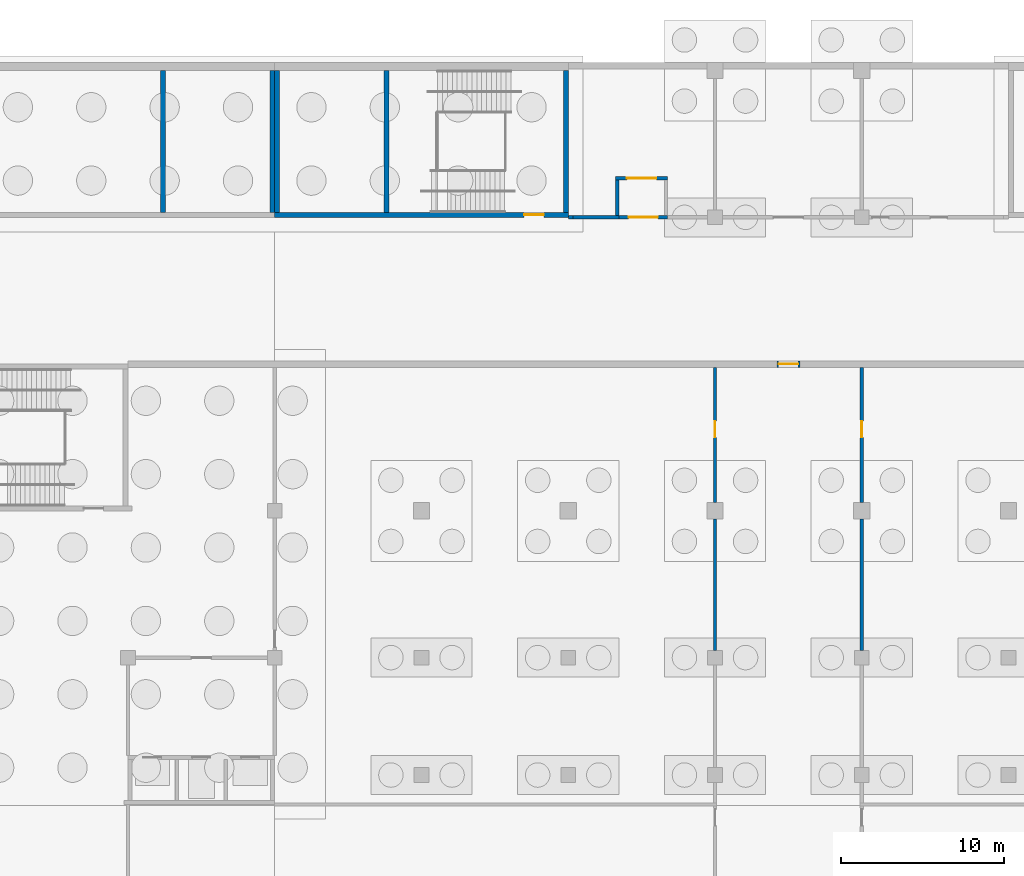
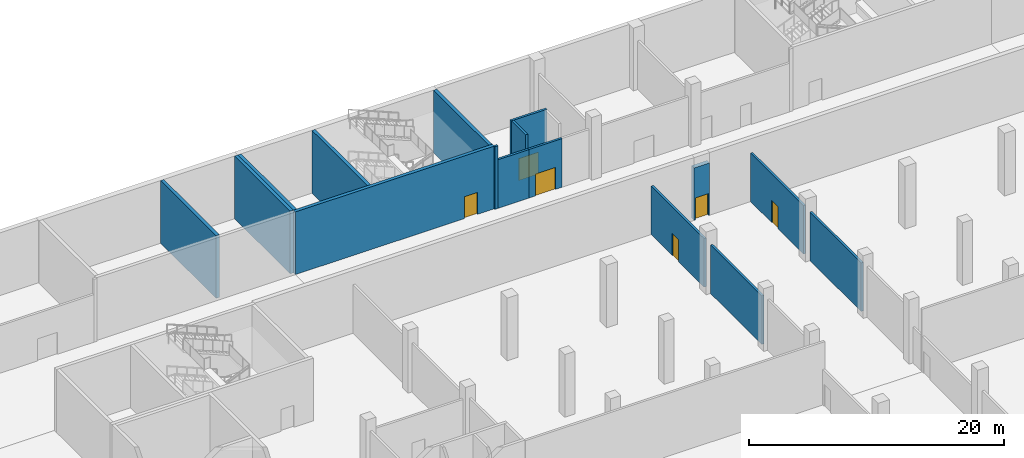
# One storey, part 15 of 42: 16 walls, 6 doors, 6 openings.
"""IFC4 building model written with IfcOpenShell, lengths in metres."""

from ifc_helpers import new_model, si_unit, direction, frame, frame_2d, origin, place, context, subcontext, project, spatial, rectangle, extrude, material, layer, layer_set, type_object, element, fill, save


model = new_model("IFC4")

# Units and contexts
model_context = context("Model", 3, precision=1e-05, world=origin(), true_north=direction((0.0, 1.0)))
body_context = subcontext(model_context, "Body", "Model", "MODEL_VIEW")
ifc_project = project(units=[si_unit("LENGTHUNIT", "METRE"), si_unit("AREAUNIT", "SQUARE_METRE"), si_unit("VOLUMEUNIT", "CUBIC_METRE"), si_unit("PLANEANGLEUNIT", "RADIAN"), si_unit("MASSUNIT", "GRAM", prefix="KILO")], contexts=[model_context])

# Site, building, storey
site_placement = place(None, origin())
site = spatial("IfcSite", under=ifc_project, at=site_placement, CompositionType="ELEMENT")
building_placement = place(site_placement, origin())
building = spatial("IfcBuilding", under=site, at=building_placement, Name="Silverbay Arena", CompositionType="ELEMENT")
storey_placement = place(building_placement, frame((0.0, 0.0, -6.0)))
storey = spatial("IfcBuildingStorey", under=building, at=storey_placement, Name="B1", CompositionType="ELEMENT", Elevation=-6.0)

# Walls
ifc_material_1 = material(Name="Concrete Grade C45", Category="concrete")
ifc_layer_1 = layer(ifc_material_1, 0.300048828125)
ifc_layer_set_1 = layer_set([ifc_layer_1], Name="Concrete Grade C45")
wall_type_1 = type_object("IfcWallType", Name="Core wall RC 300 EI 240", PredefinedType="SHEAR", material=ifc_layer_set_1)
for number, where, z_axis, x_axis, name in (
    (1, (98.85009765625, 135.300048828125, 0.0), (0.0, 0.0, 1.0), (0.0, 1.0, 0.0), "Core wall ST-N1 B1 end 2"),
    (2, (92.14990234375, 135.300048828125, 0.0), (0.0, 0.0, 1.0), (0.0, 1.0, 0.0), "Core wall ST-N1 B1 stair enclosure"),
):
    element("IfcWall", number, at=place(storey_placement, frame(where, z_axis=z_axis, x_axis=x_axis)), inside=storey, type_object=wall_type_1, Name=name, PredefinedType="SHEAR", context=body_context, shape_type="SweptSolid", body=[
        extrude(rectangle(XDim=8.699951171875, YDim=0.300048828125, at=frame_2d((4.35009765625, 0.0))), origin(), (0.0, 0.0, 1.0), 6.0),
    ])

# Wall, opening, door
wall_1_placement = place(storey_placement, frame((117.0, 135.14990234375, 0.0), z_axis=(0.0, 0.0, 1.0), x_axis=(-1.0, 0.0, 0.0)))
wall_1 = element("IfcWall", 3, at=wall_1_placement, inside=storey, type_object=wall_type_1, Name="Core wall ST-N2 B1 door side", PredefinedType="SHEAR", context=body_context, shape_type="SweptSolid", body=[
    extrude(rectangle(XDim=18.0, YDim=0.300048828125, at=frame_2d((9.0, 0.0))), origin(), (0.0, 0.0, 1.0), 6.0),
])
opening_1_placement = place(wall_1_placement, frame((1.5, 0.0, 0.0)))
opening_1 = element("IfcOpeningElement", 4, at=opening_1_placement, cuts=wall_1, Name="Opening B1-080", PredefinedType="OPENING", context=body_context, shape_type="SweptSolid", body=[
    extrude(rectangle(XDim=1.199951171875, YDim=2.10009765625, at=frame_2d((0.60009765625, 1.050048828125))), frame((0.0, 0.16015625, 0.0), z_axis=(0.0, -1.0, 0.0), x_axis=(1.0, 0.0, 0.0)), (0.0, 0.0, 1.0), 0.320068359375),
])
ifc_material_2 = material(Name="Steel fire door", Category="steel")
door_type_1 = type_object("IfcDoorType", Name="Stair door 1200 x 2100 fire door", OperationType="SINGLE_SWING_LEFT", PredefinedType="DOOR", material=ifc_material_2)
door_1_placement = place(opening_1_placement, frame((1.199951171875, 0.0, 0.0), z_axis=(0.0, 0.0, 1.0), x_axis=(-1.0, 0.0, 0.0)))
door_1 = element("IfcDoor", 5, at=door_1_placement, inside=storey, type_object=door_type_1, Name="Stair door ST-N2 B1", OperationType="SINGLE_SWING_RIGHT", OverallHeight=2.10009765625, OverallWidth=1.199951171875, PredefinedType="DOOR", context=body_context, shape_type="SweptSolid", body=[
    extrude(rectangle(XDim=1.199951171875, YDim=2.10009765625, at=frame_2d((0.60009765625, 1.050048828125))), frame((0.0, 0.02490234375, 0.0), z_axis=(0.0, -1.0, 0.0), x_axis=(1.0, 0.0, 0.0)), (0.0, 0.0, 1.0), 0.050048828125),
])
fill(opening_1, door_1)

# Walls
for number, where, z_axis, x_axis, name in (
    (6, (116.85009765625, 135.300048828125, 0.0), (0.0, 0.0, 1.0), (0.0, 1.0, 0.0), "Core wall ST-N2 B1 end 1"),
    (7, (99.14990234375, 135.300048828125, 0.0), (0.0, 0.0, 1.0), (0.0, 1.0, 0.0), "Core wall ST-N2 B1 end 2"),
    (8, (105.85009765625, 135.300048828125, 0.0), (0.0, 0.0, 1.0), (0.0, 1.0, 0.0), "Core wall ST-N2 B1 stair enclosure"),
):
    element("IfcWall", number, at=place(storey_placement, frame(where, z_axis=z_axis, x_axis=x_axis)), inside=storey, type_object=wall_type_1, Name=name, PredefinedType="SHEAR", context=body_context, shape_type="SweptSolid", body=[
        extrude(rectangle(XDim=8.699951171875, YDim=0.300048828125, at=frame_2d((4.35009765625, 0.0))), origin(), (0.0, 0.0, 1.0), 6.0),
    ])
ifc_material_3 = material(Name="Masonry blockwork partition", Category="masonry")
ifc_layer_2 = layer(ifc_material_3, 0.199951171875)
ifc_layer_set_2 = layer_set([ifc_layer_2], Name="Masonry blockwork partition")
wall_type_2 = type_object("IfcWallType", Name="Partition 200 EI 240", PredefinedType="PARTITIONING", material=ifc_layer_set_2)
wall_2_placement = place(storey_placement, frame((117.300048828125, 135.0, 0.0), z_axis=(0.0, 0.0, 1.0), x_axis=(1.0, 0.0, 0.0)))
element("IfcWall", 9, at=wall_2_placement, inside=storey, type_object=wall_type_2, Name="Partition wall", PredefinedType="PARTITIONING", context=body_context, shape_type="SweptSolid", body=[
    extrude(rectangle(XDim=2.800048828125, YDim=0.199951171875, at=frame_2d((1.39990234375, 0.0))), origin(), (0.0, 0.0, 1.0), 4.64990234375),
])

# Wall, opening, door
wall_3_placement = place(storey_placement, frame((120.10009765625, 135.0, 0.0), z_axis=(0.0, 0.0, 1.0), x_axis=(1.0, 0.0, 0.0)))
wall_3 = element("IfcWall", 10, at=wall_3_placement, inside=storey, type_object=wall_type_2, Name="Partition wall", PredefinedType="PARTITIONING", context=body_context, shape_type="SweptSolid", body=[
    extrude(rectangle(XDim=3.0, YDim=0.199951171875, at=frame_2d((1.5, 0.0))), origin(), (0.0, 0.0, 1.0), 4.64990234375),
])
opening_2_placement = place(wall_3_placement, frame((0.60009765625, 0.0, 0.0)))
opening_2 = element("IfcOpeningElement", 11, at=opening_2_placement, cuts=wall_3, Name="Opening B1-059", PredefinedType="OPENING", context=body_context, shape_type="SweptSolid", body=[
    extrude(rectangle(XDim=1.800048828125, YDim=2.10009765625, at=frame_2d((0.89990234375, 1.050048828125))), frame((0.0, 0.10986328125, 0.0), z_axis=(0.0, -1.0, 0.0), x_axis=(1.0, 0.0, 0.0)), (0.0, 0.0, 1.0), 0.219970703125),
])
ifc_material_4 = material(Name="Steel faced timber", Category="steel")
door_type_2 = type_object("IfcDoorType", Name="Double leaf door 1800 x 2100 FD120", OperationType="DOUBLE_DOOR_DOUBLE_SWING", PredefinedType="DOOR", material=ifc_material_4)
door_2_placement = place(opening_2_placement, frame((1.800048828125, 0.0, 0.0), z_axis=(0.0, 0.0, 1.0), x_axis=(-1.0, 0.0, 0.0)))
door_2 = element("IfcDoor", 12, at=door_2_placement, inside=storey, type_object=door_type_2, Name="Door B1-059", OperationType="DOUBLE_DOOR_DOUBLE_SWING", OverallHeight=2.10009765625, OverallWidth=1.800048828125, PredefinedType="DOOR", context=body_context, shape_type="SweptSolid", body=[
    extrude(rectangle(XDim=1.800048828125, YDim=2.10009765625, at=frame_2d((0.89990234375, 1.050048828125))), frame((0.0, 0.02490234375, 0.0), z_axis=(0.0, -1.0, 0.0), x_axis=(1.0, 0.0, 0.0)), (0.0, 0.0, 1.0), 0.050048828125),
])
fill(opening_2, door_2)

wall_4_placement = place(storey_placement, frame((119.89990234375, 137.39990234375, 0.0), z_axis=(0.0, 0.0, 1.0), x_axis=(1.0, 0.0, 0.0)))
wall_4 = element("IfcWall", 13, at=wall_4_placement, inside=storey, type_object=wall_type_2, Name="Partition wall", PredefinedType="PARTITIONING", context=body_context, shape_type="SweptSolid", body=[
    extrude(rectangle(XDim=3.2001953125, YDim=0.199951171875, at=frame_2d((1.60009765625, 0.0))), origin(), (0.0, 0.0, 1.0), 6.0),
])
opening_3_placement = place(wall_4_placement, frame((0.699951171875, 0.0, 0.0)))
opening_3 = element("IfcOpeningElement", 14, at=opening_3_placement, cuts=wall_4, Name="Opening B1-007", PredefinedType="OPENING", context=body_context, shape_type="SweptSolid", body=[
    extrude(rectangle(XDim=1.800048828125, YDim=2.10009765625, at=frame_2d((0.89990234375, 1.050048828125))), frame((0.0, 0.10986328125, 0.0), z_axis=(0.0, -1.0, 0.0), x_axis=(1.0, 0.0, 0.0)), (0.0, 0.0, 1.0), 0.219970703125),
])
door_3_placement = place(opening_3_placement, origin())
door_3 = element("IfcDoor", 15, at=door_3_placement, inside=storey, type_object=door_type_2, Name="Door B1-007", OperationType="DOUBLE_DOOR_DOUBLE_SWING", OverallHeight=2.10009765625, OverallWidth=1.800048828125, PredefinedType="DOOR", context=body_context, shape_type="SweptSolid", body=[
    extrude(rectangle(XDim=1.800048828125, YDim=2.10009765625, at=frame_2d((0.89990234375, 1.050048828125))), frame((0.0, 0.02490234375, 0.0), z_axis=(0.0, -1.0, 0.0), x_axis=(1.0, 0.0, 0.0)), (0.0, 0.0, 1.0), 0.050048828125),
])
fill(opening_3, door_3)

# Walls
wall_5_placement = place(storey_placement, frame((120.0, 135.10009765625, 0.0), z_axis=(0.0, 0.0, 1.0), x_axis=(0.0, 1.0, 0.0)))
element("IfcWall", 16, at=wall_5_placement, inside=storey, type_object=wall_type_2, Name="Partition wall", PredefinedType="PARTITIONING", context=body_context, shape_type="SweptSolid", body=[
    extrude(rectangle(XDim=2.199951171875, YDim=0.199951171875, at=frame_2d((1.10009765625, 0.0))), origin(), (0.0, 0.0, 1.0), 6.0),
])
wall_6_placement = place(storey_placement, frame((126.0, 108.449951171875, 0.0), z_axis=(0.0, 0.0, 1.0), x_axis=(0.0, 1.0, 0.0)))
element("IfcWall", 17, at=wall_6_placement, inside=storey, type_object=wall_type_2, Name="Partition wall", PredefinedType="PARTITIONING", context=body_context, shape_type="SweptSolid", body=[
    extrude(rectangle(XDim=8.050048828125, YDim=0.199951171875, at=frame_2d((4.02490234375, 0.0))), origin(), (0.0, 0.0, 1.0), 4.64990234375),
])

# Wall, opening, door
wall_7_placement = place(storey_placement, frame((126.0, 117.5, 0.0), z_axis=(0.0, 0.0, 1.0), x_axis=(0.0, 1.0, 0.0)))
wall_7 = element("IfcWall", 18, at=wall_7_placement, inside=storey, type_object=wall_type_2, Name="Partition wall", PredefinedType="PARTITIONING", context=body_context, shape_type="SweptSolid", body=[
    extrude(rectangle(XDim=8.300048828125, YDim=0.199951171875, at=frame_2d((4.14990234375, 0.0))), origin(), (0.0, 0.0, 1.0), 4.64990234375),
])
opening_4_placement = place(wall_7_placement, frame((4.0, 0.0, 0.0)))
opening_4 = element("IfcOpeningElement", 19, at=opening_4_placement, cuts=wall_7, Name="Opening B1-047", PredefinedType="OPENING", context=body_context, shape_type="SweptSolid", body=[
    extrude(rectangle(XDim=1.0, YDim=2.10009765625, at=frame_2d((0.5, 1.050048828125))), frame((0.0, 0.10986328125, 0.0), z_axis=(0.0, -1.0, 0.0), x_axis=(1.0, 0.0, 0.0)), (0.0, 0.0, 1.0), 0.219970703125),
])
ifc_material_5 = material(Name="Steel faced timber", Category="steel")
door_type_3 = type_object("IfcDoorType", Name="Single leaf door 1000 x 2100 FD30S", OperationType="SINGLE_SWING_LEFT", PredefinedType="DOOR", material=ifc_material_5)
door_4_placement = place(opening_4_placement, origin())
door_4 = element("IfcDoor", 20, at=door_4_placement, inside=storey, type_object=door_type_3, Name="Door B1-047", OperationType="SINGLE_SWING_RIGHT", OverallHeight=2.10009765625, OverallWidth=1.0, PredefinedType="DOOR", context=body_context, shape_type="SweptSolid", body=[
    extrude(rectangle(XDim=1.0, YDim=2.10009765625, at=frame_2d((0.5, 1.050048828125))), frame((0.0, 0.02490234375, 0.0), z_axis=(0.0, -1.0, 0.0), x_axis=(1.0, 0.0, 0.0)), (0.0, 0.0, 1.0), 0.050048828125),
])
fill(opening_4, door_4)

# Wall
wall_8_placement = place(storey_placement, frame((135.0, 108.449951171875, 0.0), z_axis=(0.0, 0.0, 1.0), x_axis=(0.0, 1.0, 0.0)))
element("IfcWall", 21, at=wall_8_placement, inside=storey, type_object=wall_type_2, Name="Partition wall", PredefinedType="PARTITIONING", context=body_context, shape_type="SweptSolid", body=[
    extrude(rectangle(XDim=8.050048828125, YDim=0.199951171875, at=frame_2d((4.02490234375, 0.0))), origin(), (0.0, 0.0, 1.0), 4.64990234375),
])

# Wall, opening, door
wall_9_placement = place(storey_placement, frame((135.0, 117.5, 0.0), z_axis=(0.0, 0.0, 1.0), x_axis=(0.0, 1.0, 0.0)))
wall_9 = element("IfcWall", 22, at=wall_9_placement, inside=storey, type_object=wall_type_2, Name="Partition wall", PredefinedType="PARTITIONING", context=body_context, shape_type="SweptSolid", body=[
    extrude(rectangle(XDim=8.300048828125, YDim=0.199951171875, at=frame_2d((4.14990234375, 0.0))), origin(), (0.0, 0.0, 1.0), 4.64990234375),
])
opening_5_placement = place(wall_9_placement, frame((4.0, 0.0, 0.0)))
opening_5 = element("IfcOpeningElement", 23, at=opening_5_placement, cuts=wall_9, Name="Opening B1-050", PredefinedType="OPENING", context=body_context, shape_type="SweptSolid", body=[
    extrude(rectangle(XDim=1.0, YDim=2.10009765625, at=frame_2d((0.5, 1.050048828125))), frame((0.0, 0.10986328125, 0.0), z_axis=(0.0, -1.0, 0.0), x_axis=(1.0, 0.0, 0.0)), (0.0, 0.0, 1.0), 0.219970703125),
])
door_5_placement = place(opening_5_placement, frame((1.0, 0.0, 0.0), z_axis=(0.0, 0.0, 1.0), x_axis=(-1.0, 0.0, 0.0)))
door_5 = element("IfcDoor", 24, at=door_5_placement, inside=storey, type_object=door_type_3, Name="Door B1-050", OperationType="SINGLE_SWING_LEFT", OverallHeight=2.10009765625, OverallWidth=1.0, PredefinedType="DOOR", context=body_context, shape_type="SweptSolid", body=[
    extrude(rectangle(XDim=1.0, YDim=2.10009765625, at=frame_2d((0.5, 1.050048828125))), frame((0.0, 0.02490234375, 0.0), z_axis=(0.0, -1.0, 0.0), x_axis=(1.0, 0.0, 0.0)), (0.0, 0.0, 1.0), 0.050048828125),
])
fill(opening_5, door_5)

# Wall
wall_10_placement = place(storey_placement, frame((117.0, 135.0, 0.0), z_axis=(0.0, 0.0, 1.0), x_axis=(1.0, 0.0, 0.0)))
element("IfcWall", 25, at=wall_10_placement, inside=storey, type_object=wall_type_2, Name="Partition wall", PredefinedType="PARTITIONING", context=body_context, shape_type="SweptSolid", body=[
    extrude(rectangle(XDim=0.300048828125, YDim=0.199951171875, at=frame_2d((0.14990234375, 0.0))), origin(), (0.0, 0.0, 1.0), 6.0),
])

# Wall, opening, door
ifc_material_6 = material(Name="Concrete Grade C45", Category="concrete")
ifc_layer_3 = layer(ifc_material_6, 0.39990234375)
ifc_layer_set_3 = layer_set([ifc_layer_3], Name="Concrete Grade C45")
wall_type_3 = type_object("IfcWallType", Name="RC back wall 400 EI 240", PredefinedType="SOLIDWALL", material=ifc_layer_set_3)
wall_11_placement = place(storey_placement, frame((129.800048828125, 126.0, 0.0), z_axis=(0.0, 0.0, 1.0), x_axis=(1.0, 0.0, 0.0)))
wall_11 = element("IfcWall", 26, at=wall_11_placement, inside=storey, type_object=wall_type_3, Name="Spur end wall B1-N", PredefinedType="SOLIDWALL", context=body_context, shape_type="SweptSolid", body=[
    extrude(rectangle(XDim=1.39990234375, YDim=0.39990234375, at=frame_2d((0.699951171875, 0.0))), origin(), (0.0, 0.0, 1.0), 5.0),
])
opening_6_placement = place(wall_11_placement, frame((0.10009765625, 0.0, 0.0)))
opening_6 = element("IfcOpeningElement", 27, at=opening_6_placement, cuts=wall_11, Name="Opening B1-121", PredefinedType="OPENING", context=body_context, shape_type="SweptSolid", body=[
    extrude(rectangle(XDim=1.199951171875, YDim=2.10009765625, at=frame_2d((0.60009765625, 1.050048828125))), frame((0.0, 0.2099609375, 0.0), z_axis=(0.0, -1.0, 0.0), x_axis=(1.0, 0.0, 0.0)), (0.0, 0.0, 1.0), 0.419921875),
])
ifc_material_7 = material(Name="Steel faced timber", Category="steel")
door_type_4 = type_object("IfcDoorType", Name="Single leaf door 1200 x 2100 FD240", OperationType="SINGLE_SWING_LEFT", PredefinedType="DOOR", material=ifc_material_7)
door_6_placement = place(opening_6_placement, origin())
door_6 = element("IfcDoor", 28, at=door_6_placement, inside=storey, type_object=door_type_4, Name="Door B1-121", OperationType="SINGLE_SWING_LEFT", OverallHeight=2.10009765625, OverallWidth=1.199951171875, PredefinedType="DOOR", context=body_context, shape_type="SweptSolid", body=[
    extrude(rectangle(XDim=1.199951171875, YDim=2.10009765625, at=frame_2d((0.60009765625, 1.050048828125))), frame((0.0, 0.02490234375, 0.0), z_axis=(0.0, -1.0, 0.0), x_axis=(1.0, 0.0, 0.0)), (0.0, 0.0, 1.0), 0.050048828125),
])
fill(opening_6, door_6)

save(model, "model.ifc")
